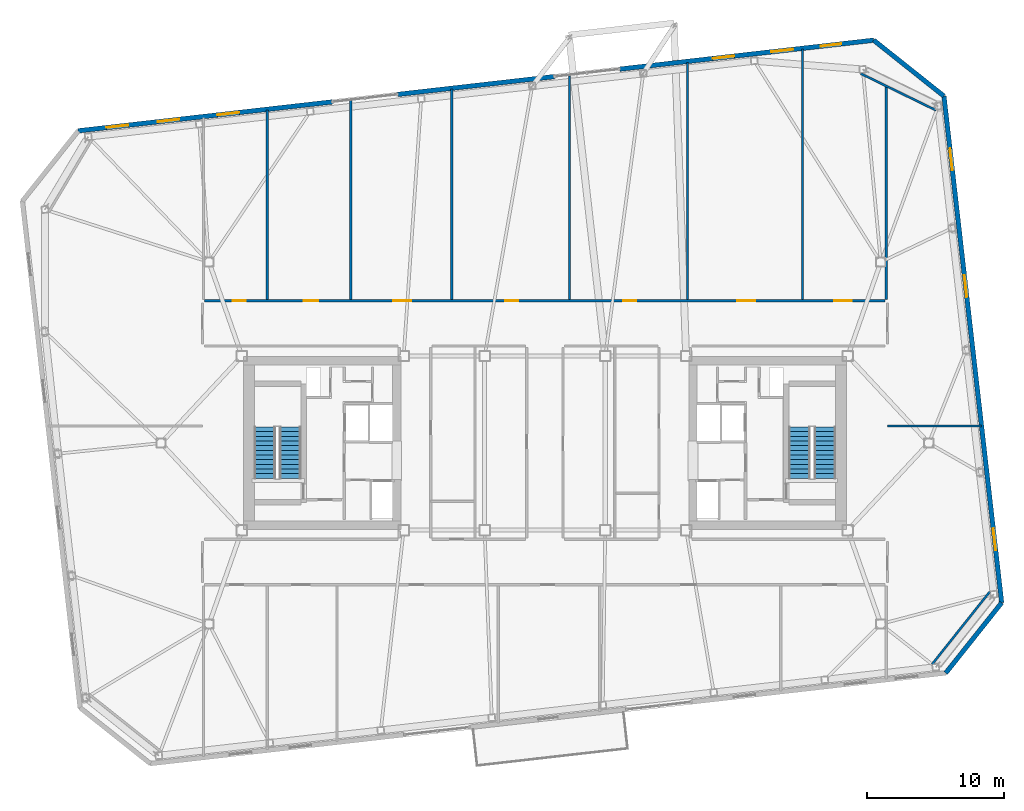
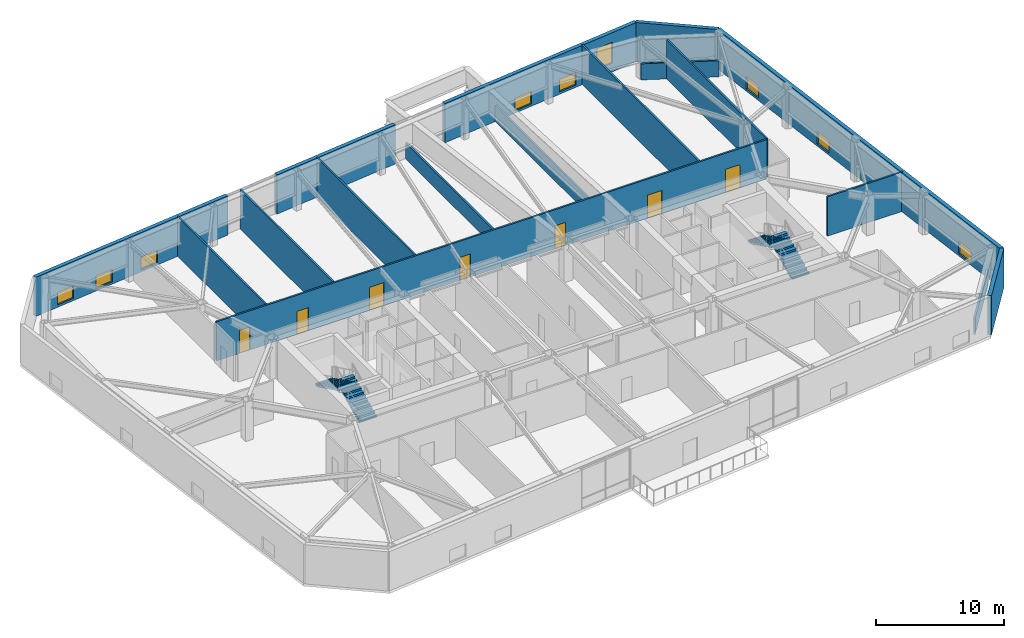
# One storey, part 15 of 20: 17 walls, 9 windows, 7 doors, 4 stair flights, 16 openings, 2 elements without a shape of their own.
"""IFC4 building model written with IfcOpenShell, lengths in metres."""

from ifc_helpers import new_model, si_unit, direction, frame, frame_2d, origin, place, context, subcontext, project, spatial, polyline, rectangle, outline, extrude, material, layer, layer_set, type_object, element, fill, aggregate, save


model = new_model("IFC4")

# Units and contexts
model_context = context("Model", 3, precision=1e-05, world=origin(), true_north=direction((0.0, 1.0)))
body_context = subcontext(model_context, "Body", "Model", "MODEL_VIEW")
ifc_project = project(units=[si_unit("LENGTHUNIT", "METRE"), si_unit("AREAUNIT", "SQUARE_METRE"), si_unit("VOLUMEUNIT", "CUBIC_METRE"), si_unit("PLANEANGLEUNIT", "RADIAN"), si_unit("MASSUNIT", "GRAM", prefix="KILO")], contexts=[model_context])

# Site, building, storey
site_placement = place(None, origin())
site = spatial("IfcSite", under=ifc_project, at=site_placement, CompositionType="ELEMENT")
building_placement = place(site_placement, origin())
building = spatial("IfcBuilding", under=site, at=building_placement, Name="Tavrogorsk Clinical Tower", CompositionType="ELEMENT")
storey_placement = place(building_placement, frame((0.0, 0.0, 234.199951171875)))
storey = spatial("IfcBuildingStorey", under=building, at=storey_placement, Name="L54", CompositionType="ELEMENT", Elevation=234.199951171875)

# Walls
ifc_material_1 = material(Name="Lightweight concrete blockwork B15", Category="masonry")
ifc_layer_1 = layer(ifc_material_1, 0.159912109375)
ifc_layer_set_1 = layer_set([ifc_layer_1], Name="Lightweight concrete blockwork B15")
wall_type_1 = type_object("IfcWallType", Name="PartitionWall_160", PredefinedType="PARTITIONING", material=ifc_layer_set_1)
wall_1_placement = place(storey_placement, frame((28.242431640625, -16.1337890625, 0.0), z_axis=(0.0, 0.0, 1.0), x_axis=(0.622521563328, 0.782602647064, 0.0)))
element("IfcWall", 1, at=wall_1_placement, inside=storey, type_object=wall_type_1, Name="L54 Corner Exoskeleton Brace Furring Wall 1", PredefinedType="PARTITIONING", context=body_context, shape_type="SweptSolid", body=[
    extrude(rectangle(XDim=6.788330078125, YDim=0.159912109375, at=frame_2d((3.39404296875, 0.0))), origin(), (0.0, 0.0, 1.0), 1.53515625),
])
wall_2_placement = place(storey_placement, frame((28.5283203125, 24.27099609375, 0.0), z_axis=(0.0, 0.0, 1.0), x_axis=(-0.898820692789, 0.438316509173, 0.0)))
element("IfcWall", 2, at=wall_2_placement, inside=storey, type_object=wall_type_1, Name="L54 Corner Exoskeleton Brace Furring Wall 2", PredefinedType="PARTITIONING", context=body_context, shape_type="SweptSolid", body=[
    extrude(rectangle(XDim=6.10693359375, YDim=0.159912109375, at=frame_2d((3.053466796875, 0.0))), origin(), (0.0, 0.0, 1.0), 1.53515625),
])

# Wall, openings, doors
wall_3_placement = place(storey_placement, frame((-24.81494140625, 10.3798828125, 0.0), z_axis=(0.0, 0.0, 1.0), x_axis=(1.0, 0.0, 0.0)))
wall_3 = element("IfcWall", 3, at=wall_3_placement, inside=storey, type_object=wall_type_1, Name="L54 Corridor Partition 07", PredefinedType="PARTITIONING", context=body_context, shape_type="SweptSolid", body=[
    extrude(rectangle(XDim=49.6298828125, YDim=0.159912109375, at=frame_2d((24.81494140625, 0.0))), origin(), (0.0, 0.0, 1.0), 3.739990234375),
])
opening_1_placement = place(wall_3_placement, frame((2.044189453125, 0.0, 0.0)))
opening_1 = element("IfcOpeningElement", 4, at=opening_1_placement, cuts=wall_3, Name="Opening ID-02", PredefinedType="OPENING", context=body_context, shape_type="SweptSolid", body=[
    extrude(rectangle(XDim=0.949951171875, YDim=2.199951171875, at=frame_2d((0.47509765625, 1.10009765625))), frame((0.0, 0.08984375, 0.0), z_axis=(0.0, -1.0, 0.0), x_axis=(1.0, 0.0, 0.0)), (0.0, 0.0, 1.0), 0.179931640625),
])
opening_2_placement = place(wall_3_placement, frame((7.219970703125, 0.0, 0.0)))
opening_2 = element("IfcOpeningElement", 5, at=opening_2_placement, cuts=wall_3, Name="Opening ID-04", PredefinedType="OPENING", context=body_context, shape_type="SweptSolid", body=[
    extrude(rectangle(XDim=1.050048828125, YDim=2.199951171875, at=frame_2d((0.52490234375, 1.10009765625))), frame((0.0, 0.08984375, 0.0), z_axis=(0.0, -1.0, 0.0), x_axis=(1.0, 0.0, 0.0)), (0.0, 0.0, 1.0), 0.179931640625),
])
opening_3_placement = place(wall_3_placement, frame((13.77001953125, 0.0, 0.0)))
opening_3 = element("IfcOpeningElement", 6, at=opening_3_placement, cuts=wall_3, Name="Opening ID-01", PredefinedType="OPENING", context=body_context, shape_type="SweptSolid", body=[
    extrude(rectangle(XDim=1.300048828125, YDim=2.199951171875, at=frame_2d((0.64990234375, 1.10009765625))), frame((0.0, 0.08984375, 0.0), z_axis=(0.0, -1.0, 0.0), x_axis=(1.0, 0.0, 0.0)), (0.0, 0.0, 1.0), 0.179931640625),
])
opening_4_placement = place(wall_3_placement, frame((21.925048828125, 0.0, 0.0)))
opening_4 = element("IfcOpeningElement", 7, at=opening_4_placement, cuts=wall_3, Name="Opening ID-02", PredefinedType="OPENING", context=body_context, shape_type="SweptSolid", body=[
    extrude(rectangle(XDim=0.949951171875, YDim=2.199951171875, at=frame_2d((0.47509765625, 1.10009765625))), frame((0.0, 0.08984375, 0.0), z_axis=(0.0, -1.0, 0.0), x_axis=(1.0, 0.0, 0.0)), (0.0, 0.0, 1.0), 0.179931640625),
])
opening_5_placement = place(wall_3_placement, frame((30.52490234375, 0.0, 0.0)))
opening_5 = element("IfcOpeningElement", 8, at=opening_5_placement, cuts=wall_3, Name="Opening ID-02", PredefinedType="OPENING", context=body_context, shape_type="SweptSolid", body=[
    extrude(rectangle(XDim=0.949951171875, YDim=2.199951171875, at=frame_2d((0.47509765625, 1.10009765625))), frame((0.0, 0.08984375, 0.0), z_axis=(0.0, -1.0, 0.0), x_axis=(1.0, 0.0, 0.0)), (0.0, 0.0, 1.0), 0.179931640625),
])
opening_6_placement = place(wall_3_placement, frame((38.85009765625, 0.0, 0.0)))
opening_6 = element("IfcOpeningElement", 9, at=opening_6_placement, cuts=wall_3, Name="Opening ID-01", PredefinedType="OPENING", context=body_context, shape_type="SweptSolid", body=[
    extrude(rectangle(XDim=1.300048828125, YDim=2.199951171875, at=frame_2d((0.64990234375, 1.10009765625))), frame((0.0, 0.08984375, 0.0), z_axis=(0.0, -1.0, 0.0), x_axis=(1.0, 0.0, 0.0)), (0.0, 0.0, 1.0), 0.179931640625),
])
opening_7_placement = place(wall_3_placement, frame((45.906005859375, 0.0, 0.0)))
opening_7 = element("IfcOpeningElement", 10, at=opening_7_placement, cuts=wall_3, Name="Opening ID-01", PredefinedType="OPENING", context=body_context, shape_type="SweptSolid", body=[
    extrude(rectangle(XDim=1.300048828125, YDim=2.199951171875, at=frame_2d((0.64990234375, 1.10009765625))), frame((0.0, 0.08984375, 0.0), z_axis=(0.0, -1.0, 0.0), x_axis=(1.0, 0.0, 0.0)), (0.0, 0.0, 1.0), 0.179931640625),
])
ifc_material_2 = material(Name="Antibacterial HPL consultation door on aluminium frame", Category="aluminium")
door_type_1 = type_object("IfcDoorType", Name="ConsultDoor_ID04_1050", OperationType="NOTDEFINED", PredefinedType="DOOR", material=ifc_material_2)
door_1_placement = place(opening_2_placement, origin())
door_1 = element("IfcDoor", 11, at=door_1_placement, inside=storey, type_object=door_type_1, Name="L54 North Physiotherapy Rehab Studio 02 Door", OperationType="SINGLE_SWING_RIGHT", OverallHeight=2.199951171875, OverallWidth=1.050048828125, PredefinedType="DOOR", context=body_context, shape_type="SweptSolid", body=[
    extrude(rectangle(XDim=1.050048828125, YDim=2.199951171875, at=frame_2d((0.52490234375, 1.10009765625))), frame((0.0, 0.02490234375, 0.0), z_axis=(0.0, -1.0, 0.0), x_axis=(1.0, 0.0, 0.0)), (0.0, 0.0, 1.0), 0.050048828125),
])
fill(opening_2, door_1)
ifc_material_3 = material(Name="Laminated timber leaf on aluminium frame", Category="wood")
door_type_2 = type_object("IfcDoorType", Name="InteriorDoor_ID02_950", OperationType="NOTDEFINED", PredefinedType="DOOR", material=ifc_material_3)
door_2_placement = place(opening_1_placement, origin())
door_2 = element("IfcDoor", 12, at=door_2_placement, inside=storey, type_object=door_type_2, Name="L54 North Diagnostic Ultrasound Suite 01 Door", OperationType="SINGLE_SWING_LEFT", OverallHeight=2.199951171875, OverallWidth=0.949951171875, PredefinedType="DOOR", context=body_context, shape_type="SweptSolid", body=[
    extrude(rectangle(XDim=0.949951171875, YDim=2.199951171875, at=frame_2d((0.47509765625, 1.10009765625))), frame((0.0, 0.02490234375, 0.0), z_axis=(0.0, -1.0, 0.0), x_axis=(1.0, 0.0, 0.0)), (0.0, 0.0, 1.0), 0.050048828125),
])
fill(opening_1, door_2)
door_3_placement = place(opening_4_placement, origin())
door_3 = element("IfcDoor", 13, at=door_3_placement, inside=storey, type_object=door_type_2, Name="L54 North Physician Consultation Office 04 Door", OperationType="SINGLE_SWING_RIGHT", OverallHeight=2.199951171875, OverallWidth=0.949951171875, PredefinedType="DOOR", context=body_context, shape_type="SweptSolid", body=[
    extrude(rectangle(XDim=0.949951171875, YDim=2.199951171875, at=frame_2d((0.47509765625, 1.10009765625))), frame((0.0, 0.02490234375, 0.0), z_axis=(0.0, -1.0, 0.0), x_axis=(1.0, 0.0, 0.0)), (0.0, 0.0, 1.0), 0.050048828125),
])
fill(opening_4, door_3)
door_4_placement = place(opening_5_placement, origin())
door_4 = element("IfcDoor", 14, at=door_4_placement, inside=storey, type_object=door_type_2, Name="L54 North Patient & Family Quiet Lounge 05 Door", OperationType="SINGLE_SWING_LEFT", OverallHeight=2.199951171875, OverallWidth=0.949951171875, PredefinedType="DOOR", context=body_context, shape_type="SweptSolid", body=[
    extrude(rectangle(XDim=0.949951171875, YDim=2.199951171875, at=frame_2d((0.47509765625, 1.10009765625))), frame((0.0, 0.02490234375, 0.0), z_axis=(0.0, -1.0, 0.0), x_axis=(1.0, 0.0, 0.0)), (0.0, 0.0, 1.0), 0.050048828125),
])
fill(opening_5, door_4)
ifc_material_4 = material(Name="Antibacterial HPL medical leaf on aluminium frame", Category="aluminium")
door_type_3 = type_object("IfcDoorType", Name="WardBedDoor_ID01_1300", OperationType="NOTDEFINED", PredefinedType="DOOR", material=ifc_material_4)
door_5_placement = place(opening_3_placement, origin())
door_5 = element("IfcDoor", 15, at=door_5_placement, inside=storey, type_object=door_type_3, Name="L54 North Step-Down Telemetry Ward 03 Door", OperationType="SINGLE_SWING_LEFT", OverallHeight=2.199951171875, OverallWidth=1.300048828125, PredefinedType="DOOR", context=body_context, shape_type="SweptSolid", body=[
    extrude(rectangle(XDim=1.300048828125, YDim=2.199951171875, at=frame_2d((0.64990234375, 1.10009765625))), frame((0.0, 0.02490234375, 0.0), z_axis=(0.0, -1.0, 0.0), x_axis=(1.0, 0.0, 0.0)), (0.0, 0.0, 1.0), 0.050048828125),
])
fill(opening_3, door_5)
door_6_placement = place(opening_6_placement, origin())
door_6 = element("IfcDoor", 16, at=door_6_placement, inside=storey, type_object=door_type_3, Name="L54 North Acute Isolation Suite 06 Door", OperationType="SINGLE_SWING_RIGHT", OverallHeight=2.199951171875, OverallWidth=1.300048828125, PredefinedType="DOOR", context=body_context, shape_type="SweptSolid", body=[
    extrude(rectangle(XDim=1.300048828125, YDim=2.199951171875, at=frame_2d((0.64990234375, 1.10009765625))), frame((0.0, 0.02490234375, 0.0), z_axis=(0.0, -1.0, 0.0), x_axis=(1.0, 0.0, 0.0)), (0.0, 0.0, 1.0), 0.050048828125),
])
fill(opening_6, door_6)
door_7_placement = place(opening_7_placement, origin())
door_7 = element("IfcDoor", 17, at=door_7_placement, inside=storey, type_object=door_type_3, Name="L54 North Sub-Acute Recovery Ward 07 Door", OperationType="SINGLE_SWING_LEFT", OverallHeight=2.199951171875, OverallWidth=1.300048828125, PredefinedType="DOOR", context=body_context, shape_type="SweptSolid", body=[
    extrude(rectangle(XDim=1.300048828125, YDim=2.199951171875, at=frame_2d((0.64990234375, 1.10009765625))), frame((0.0, 0.02490234375, 0.0), z_axis=(0.0, -1.0, 0.0), x_axis=(1.0, 0.0, 0.0)), (0.0, 0.0, 1.0), 0.050048828125),
])
fill(opening_7, door_7)

# Walls
wall_4_placement = place(storey_placement, frame((24.89990234375, 10.465087890625, 0.0), z_axis=(0.0, 0.0, 1.0), x_axis=(0.0, 1.0, 0.0)))
element("IfcWall", 18, at=wall_4_placement, inside=storey, type_object=wall_type_1, Name="L54 NE Wing Closure Partition", PredefinedType="PARTITIONING", context=body_context, shape_type="SweptSolid", body=[
    extrude(rectangle(XDim=15.579345703125, YDim=0.159912109375, at=frame_2d((7.78955078125, 0.0))), origin(), (0.0, 0.0, 1.0), 3.739990234375),
])
wall_5_placement = place(storey_placement, frame((-20.25, 10.465087890625, 0.0), z_axis=(0.0, 0.0, 1.0), x_axis=(0.0, 1.0, 0.0)))
element("IfcWall", 19, at=wall_5_placement, inside=storey, type_object=wall_type_1, Name="L54 North Room Partition 1", PredefinedType="PARTITIONING", context=body_context, shape_type="SweptSolid", body=[
    extrude(rectangle(XDim=13.81103515625, YDim=0.159912109375, at=frame_2d((6.905517578125, 0.0))), origin(), (0.0, 0.0, 1.0), 3.739990234375),
])
wall_6_placement = place(storey_placement, frame((-14.159912109375, 10.465087890625, 0.0), z_axis=(0.0, 0.0, 1.0), x_axis=(0.0, 1.0, 0.0)))
element("IfcWall", 20, at=wall_6_placement, inside=storey, type_object=wall_type_1, Name="L54 North Room Partition 2", PredefinedType="PARTITIONING", context=body_context, shape_type="SweptSolid", body=[
    extrude(rectangle(XDim=14.5048828125, YDim=0.159912109375, at=frame_2d((7.25244140625, 0.0))), origin(), (0.0, 0.0, 1.0), 3.739990234375),
])
wall_7_placement = place(storey_placement, frame((-6.800048828125, 10.465087890625, 0.0), z_axis=(0.0, 0.0, 1.0), x_axis=(0.0, 1.0, 0.0)))
element("IfcWall", 21, at=wall_7_placement, inside=storey, type_object=wall_type_1, Name="L54 North Room Partition 3", PredefinedType="PARTITIONING", context=body_context, shape_type="SweptSolid", body=[
    extrude(rectangle(XDim=15.343505859375, YDim=0.159912109375, at=frame_2d((7.671875, 0.0))), origin(), (0.0, 0.0, 1.0), 3.739990234375),
])
wall_8_placement = place(storey_placement, frame((1.800048828125, 10.465087890625, 0.0), z_axis=(0.0, 0.0, 1.0), x_axis=(0.0, 1.0, 0.0)))
element("IfcWall", 22, at=wall_8_placement, inside=storey, type_object=wall_type_1, Name="L54 North Room Partition 4", PredefinedType="PARTITIONING", context=body_context, shape_type="SweptSolid", body=[
    extrude(rectangle(XDim=16.3232421875, YDim=0.159912109375, at=frame_2d((8.16162109375, 0.0))), origin(), (0.0, 0.0, 1.0), 1.53515625),
])
wall_9_placement = place(storey_placement, frame((10.39990234375, 10.465087890625, 0.0), z_axis=(0.0, 0.0, 1.0), x_axis=(0.0, 1.0, 0.0)))
element("IfcWall", 23, at=wall_9_placement, inside=storey, type_object=wall_type_1, Name="L54 North Room Partition 5", PredefinedType="PARTITIONING", context=body_context, shape_type="SweptSolid", body=[
    extrude(rectangle(XDim=17.30322265625, YDim=0.159912109375, at=frame_2d((8.651611328125, 0.0))), origin(), (0.0, 0.0, 1.0), 1.53515625),
])
wall_10_placement = place(storey_placement, frame((18.800048828125, 10.465087890625, 0.0), z_axis=(0.0, 0.0, 1.0), x_axis=(0.0, 1.0, 0.0)))
element("IfcWall", 24, at=wall_10_placement, inside=storey, type_object=wall_type_1, Name="L54 North Room Partition 6", PredefinedType="PARTITIONING", context=body_context, shape_type="SweptSolid", body=[
    extrude(rectangle(XDim=18.26025390625, YDim=0.159912109375, at=frame_2d((9.130126953125, 0.0))), origin(), (0.0, 0.0, 1.0), 3.739990234375),
])
wall_11_placement = place(storey_placement, frame((24.97998046875, 1.25, 0.0), z_axis=(0.0, 0.0, 1.0), x_axis=(1.0, 0.0, 0.0)))
element("IfcWall", 25, at=wall_11_placement, inside=storey, type_object=wall_type_1, Name="L54 E Wing Divider 1", PredefinedType="PARTITIONING", context=body_context, shape_type="SweptSolid", body=[
    extrude(rectangle(XDim=6.84814453125, YDim=0.159912109375, at=frame_2d((3.424072265625, 0.0))), origin(), (0.0, 0.0, 1.0), 3.739990234375),
])

# Wall, openings, windows
ifc_material_5 = material(Name="Precast concrete B45 with limestone cladding", Category="masonry")
ifc_layer_2 = layer(ifc_material_5, 0.340087890625)
ifc_layer_set_2 = layer_set([ifc_layer_2], Name="Precast concrete B45 with limestone cladding")
wall_type_2 = type_object("IfcWallType", Name="PrecastLimestoneWall_340", PredefinedType="STANDARD", material=ifc_layer_set_2)
wall_12_placement = place(storey_placement, frame((23.982666015625, 29.38623046875, 0.0), z_axis=(0.0, 0.0, 1.0), x_axis=(-0.993572271362, -0.113199565282, 0.0)))
wall_12 = element("IfcWall", 26, at=wall_12_placement, inside=storey, type_object=wall_type_2, Name="L54 N Limestone Facade Wall 1", PredefinedType="STANDARD", context=body_context, shape_type="SweptSolid", body=[
    extrude(rectangle(XDim=18.6513671875, YDim=0.340087890625, at=frame_2d((9.32568359375, 0.0))), origin(), (0.0, 0.0, 1.0), 3.739990234375),
])
opening_8_placement = place(wall_12_placement, frame((10.228759765625, 0.0, 0.219970703125)))
opening_8 = element("IfcOpeningElement", 27, at=opening_8_placement, cuts=wall_12, Name="Opening WN-09", PredefinedType="OPENING", context=body_context, shape_type="SweptSolid", body=[
    extrude(rectangle(XDim=1.60009765625, YDim=1.199951171875, at=frame_2d((0.800048828125, 0.60009765625))), frame((0.0, 0.179931640625, 0.0), z_axis=(0.0, -1.0, 0.0), x_axis=(1.0, 0.0, 0.0)), (0.0, 0.0, 1.0), 0.360107421875),
])
opening_9_placement = place(wall_12_placement, frame((5.923095703125, 0.0, 0.219970703125)))
opening_9 = element("IfcOpeningElement", 28, at=opening_9_placement, cuts=wall_12, Name="Opening WN-09", PredefinedType="OPENING", context=body_context, shape_type="SweptSolid", body=[
    extrude(rectangle(XDim=1.60009765625, YDim=1.199951171875, at=frame_2d((0.800048828125, 0.60009765625))), frame((0.0, 0.179931640625, 0.0), z_axis=(0.0, -1.0, 0.0), x_axis=(1.0, 0.0, 0.0)), (0.0, 0.0, 1.0), 0.360107421875),
])
opening_10_placement = place(wall_12_placement, frame((2.385986328125, 0.0, 0.830078125)))
opening_10 = element("IfcOpeningElement", 29, at=opening_10_placement, cuts=wall_12, Name="Opening WN-05", PredefinedType="OPENING", context=body_context, shape_type="SweptSolid", body=[
    extrude(rectangle(XDim=1.5, YDim=2.0, at=frame_2d((0.75, 1.0))), frame((0.0, 0.179931640625, 0.0), z_axis=(0.0, -1.0, 0.0), x_axis=(1.0, 0.0, 0.0)), (0.0, 0.0, 1.0), 0.360107421875),
])
ifc_material_6 = material(Name="Thermally broken aluminium frame and triple IGU", Category="aluminium")
window_type_1 = type_object("IfcWindowType", Name="ConsultWin_1500x2000", PartitioningType="SINGLE_PANEL", PredefinedType="WINDOW", material=ifc_material_6)
window_1_placement = place(opening_10_placement, origin())
window_1 = element("IfcWindow", 30, at=window_1_placement, inside=storey, type_object=window_type_1, Name="L54 N Chicago Window 10", OverallHeight=2.0, OverallWidth=1.5, PartitioningType="SINGLE_PANEL", PredefinedType="WINDOW", context=body_context, shape_type="SweptSolid", body=[
    extrude(rectangle(XDim=1.5, YDim=2.0, at=frame_2d((0.75, 1.0))), frame((0.0, 0.030029296875, 0.0), z_axis=(0.0, -1.0, 0.0), x_axis=(1.0, 0.0, 0.0)), (0.0, 0.0, 1.0), 0.06005859375),
])
fill(opening_10, window_1)
ifc_material_7 = material(Name="Thermally broken aluminium frame and triple IGU", Category="aluminium")
window_type_2 = type_object("IfcWindowType", Name="LowHeadTransWin_1600x1200", PartitioningType="DOUBLE_PANEL_VERTICAL", PredefinedType="WINDOW", material=ifc_material_7)
window_2_placement = place(opening_8_placement, origin())
window_2 = element("IfcWindow", 31, at=window_2_placement, inside=storey, type_object=window_type_2, Name="L54 N Chicago Window 08", OverallHeight=1.199951171875, OverallWidth=1.60009765625, PartitioningType="SINGLE_PANEL", PredefinedType="WINDOW", context=body_context, shape_type="SweptSolid", body=[
    extrude(rectangle(XDim=1.60009765625, YDim=1.199951171875, at=frame_2d((0.800048828125, 0.60009765625))), frame((0.0, 0.030029296875, 0.0), z_axis=(0.0, -1.0, 0.0), x_axis=(1.0, 0.0, 0.0)), (0.0, 0.0, 1.0), 0.06005859375),
])
fill(opening_8, window_2)
window_3_placement = place(opening_9_placement, origin())
window_3 = element("IfcWindow", 32, at=window_3_placement, inside=storey, type_object=window_type_2, Name="L54 N Chicago Window 09", OverallHeight=1.199951171875, OverallWidth=1.60009765625, PartitioningType="SINGLE_PANEL", PredefinedType="WINDOW", context=body_context, shape_type="SweptSolid", body=[
    extrude(rectangle(XDim=1.60009765625, YDim=1.199951171875, at=frame_2d((0.800048828125, 0.60009765625))), frame((0.0, 0.030029296875, 0.0), z_axis=(0.0, -1.0, 0.0), x_axis=(1.0, 0.0, 0.0)), (0.0, 0.0, 1.0), 0.06005859375),
])
fill(opening_9, window_3)

# Wall
wall_13_placement = place(storey_placement, frame((0.681884765625, 26.7314453125, 0.0), z_axis=(0.0, 0.0, 1.0), x_axis=(-0.993571968199, -0.113202226169, 0.0)))
element("IfcWall", 33, at=wall_13_placement, inside=storey, type_object=wall_type_2, Name="L54 N Limestone Facade Wall 2", PredefinedType="STANDARD", context=body_context, shape_type="SweptSolid", body=[
    extrude(rectangle(XDim=11.497314453125, YDim=0.340087890625, at=frame_2d((5.74853515625, 0.0))), origin(), (0.0, 0.0, 1.0), 3.739990234375),
])

# Wall, openings, windows
wall_14_placement = place(storey_placement, frame((-15.510498046875, 24.886474609375, 0.0), z_axis=(0.0, 0.0, 1.0), x_axis=(-0.993572271362, -0.113199565282, 0.0)))
wall_14 = element("IfcWall", 34, at=wall_14_placement, inside=storey, type_object=wall_type_2, Name="L54 N Limestone Facade Wall 3", PredefinedType="STANDARD", context=body_context, shape_type="SweptSolid", body=[
    extrude(rectangle(XDim=18.6513671875, YDim=0.340087890625, at=frame_2d((9.32568359375, 0.0))), origin(), (0.0, 0.0, 1.0), 3.739990234375),
])
opening_11_placement = place(wall_14_placement, frame((14.97119140625, 0.0, 0.219970703125)))
opening_11 = element("IfcOpeningElement", 35, at=opening_11_placement, cuts=wall_14, Name="Opening WN-09", PredefinedType="OPENING", context=body_context, shape_type="SweptSolid", body=[
    extrude(rectangle(XDim=1.60009765625, YDim=1.199951171875, at=frame_2d((0.800048828125, 0.60009765625))), frame((0.0, 0.179931640625, 0.0), z_axis=(0.0, -1.0, 0.0), x_axis=(1.0, 0.0, 0.0)), (0.0, 0.0, 1.0), 0.360107421875),
])
opening_12_placement = place(wall_14_placement, frame((11.222900390625, 0.0, 0.219970703125)))
opening_12 = element("IfcOpeningElement", 36, at=opening_12_placement, cuts=wall_14, Name="Opening WN-09", PredefinedType="OPENING", context=body_context, shape_type="SweptSolid", body=[
    extrude(rectangle(XDim=1.60009765625, YDim=1.199951171875, at=frame_2d((0.800048828125, 0.60009765625))), frame((0.0, 0.179931640625, 0.0), z_axis=(0.0, -1.0, 0.0), x_axis=(1.0, 0.0, 0.0)), (0.0, 0.0, 1.0), 0.360107421875),
])
opening_13_placement = place(wall_14_placement, frame((6.82275390625, 0.0, 0.219970703125)))
opening_13 = element("IfcOpeningElement", 37, at=opening_13_placement, cuts=wall_14, Name="Opening WN-09", PredefinedType="OPENING", context=body_context, shape_type="SweptSolid", body=[
    extrude(rectangle(XDim=1.60009765625, YDim=1.199951171875, at=frame_2d((0.800048828125, 0.60009765625))), frame((0.0, 0.179931640625, 0.0), z_axis=(0.0, -1.0, 0.0), x_axis=(1.0, 0.0, 0.0)), (0.0, 0.0, 1.0), 0.360107421875),
])
window_4_placement = place(opening_11_placement, origin())
window_4 = element("IfcWindow", 38, at=window_4_placement, inside=storey, type_object=window_type_2, Name="L54 N Chicago Window 01", OverallHeight=1.199951171875, OverallWidth=1.60009765625, PartitioningType="SINGLE_PANEL", PredefinedType="WINDOW", context=body_context, shape_type="SweptSolid", body=[
    extrude(rectangle(XDim=1.60009765625, YDim=1.199951171875, at=frame_2d((0.800048828125, 0.60009765625))), frame((0.0, 0.030029296875, 0.0), z_axis=(0.0, -1.0, 0.0), x_axis=(1.0, 0.0, 0.0)), (0.0, 0.0, 1.0), 0.06005859375),
])
fill(opening_11, window_4)
window_5_placement = place(opening_12_placement, origin())
window_5 = element("IfcWindow", 39, at=window_5_placement, inside=storey, type_object=window_type_2, Name="L54 N Chicago Window 02", OverallHeight=1.199951171875, OverallWidth=1.60009765625, PartitioningType="SINGLE_PANEL", PredefinedType="WINDOW", context=body_context, shape_type="SweptSolid", body=[
    extrude(rectangle(XDim=1.60009765625, YDim=1.199951171875, at=frame_2d((0.800048828125, 0.60009765625))), frame((0.0, 0.030029296875, 0.0), z_axis=(0.0, -1.0, 0.0), x_axis=(1.0, 0.0, 0.0)), (0.0, 0.0, 1.0), 0.06005859375),
])
fill(opening_12, window_5)
window_6_placement = place(opening_13_placement, origin())
window_6 = element("IfcWindow", 40, at=window_6_placement, inside=storey, type_object=window_type_2, Name="L54 N Chicago Window 03", OverallHeight=1.199951171875, OverallWidth=1.60009765625, PartitioningType="SINGLE_PANEL", PredefinedType="WINDOW", context=body_context, shape_type="SweptSolid", body=[
    extrude(rectangle(XDim=1.60009765625, YDim=1.199951171875, at=frame_2d((0.800048828125, 0.60009765625))), frame((0.0, 0.030029296875, 0.0), z_axis=(0.0, -1.0, 0.0), x_axis=(1.0, 0.0, 0.0)), (0.0, 0.0, 1.0), 0.06005859375),
])
fill(opening_13, window_6)

wall_15_placement = place(storey_placement, frame((33.318115234375, -11.65087890625, 0.0), z_axis=(0.0, 0.0, 1.0), x_axis=(-0.11320360501, 0.9935718111, 0.0)))
wall_15 = element("IfcWall", 41, at=wall_15_placement, inside=storey, type_object=wall_type_2, Name="L54 E Pleated Limestone Wing Wall", PredefinedType="STANDARD", context=body_context, shape_type="SweptSolid", body=[
    extrude(rectangle(XDim=37.199951171875, YDim=0.340087890625, at=frame_2d((18.60009765625, 0.0))), origin(), (0.0, 0.0, 1.0), 3.739990234375),
])
opening_14_placement = place(wall_15_placement, frame((3.85009765625, 0.0, 0.219970703125)))
opening_14 = element("IfcOpeningElement", 42, at=opening_14_placement, cuts=wall_15, Name="Opening WN-09", PredefinedType="OPENING", context=body_context, shape_type="SweptSolid", body=[
    extrude(rectangle(XDim=1.60009765625, YDim=1.199951171875, at=frame_2d((0.800048828125, 0.60009765625))), frame((0.0, 0.179931640625, 0.0), z_axis=(0.0, -1.0, 0.0), x_axis=(1.0, 0.0, 0.0)), (0.0, 0.0, 1.0), 0.360107421875),
])
opening_15_placement = place(wall_15_placement, frame((22.449951171875, 0.0, 0.219970703125)))
opening_15 = element("IfcOpeningElement", 43, at=opening_15_placement, cuts=wall_15, Name="Opening WN-09", PredefinedType="OPENING", context=body_context, shape_type="SweptSolid", body=[
    extrude(rectangle(XDim=1.60009765625, YDim=1.199951171875, at=frame_2d((0.800048828125, 0.60009765625))), frame((0.0, 0.179931640625, 0.0), z_axis=(0.0, -1.0, 0.0), x_axis=(1.0, 0.0, 0.0)), (0.0, 0.0, 1.0), 0.360107421875),
])
opening_16_placement = place(wall_15_placement, frame((31.75, 0.0, 0.219970703125)))
opening_16 = element("IfcOpeningElement", 44, at=opening_16_placement, cuts=wall_15, Name="Opening WN-09", PredefinedType="OPENING", context=body_context, shape_type="SweptSolid", body=[
    extrude(rectangle(XDim=1.60009765625, YDim=1.199951171875, at=frame_2d((0.800048828125, 0.60009765625))), frame((0.0, 0.179931640625, 0.0), z_axis=(0.0, -1.0, 0.0), x_axis=(1.0, 0.0, 0.0)), (0.0, 0.0, 1.0), 0.360107421875),
])
window_7_placement = place(opening_14_placement, origin())
window_7 = element("IfcWindow", 45, at=window_7_placement, inside=storey, type_object=window_type_2, Name="L54 E Pleat Slot Window 1", OverallHeight=1.199951171875, OverallWidth=1.60009765625, PartitioningType="SINGLE_PANEL", PredefinedType="WINDOW", context=body_context, shape_type="SweptSolid", body=[
    extrude(rectangle(XDim=1.60009765625, YDim=1.199951171875, at=frame_2d((0.800048828125, 0.60009765625))), frame((0.0, 0.030029296875, 0.0), z_axis=(0.0, -1.0, 0.0), x_axis=(1.0, 0.0, 0.0)), (0.0, 0.0, 1.0), 0.06005859375),
])
fill(opening_14, window_7)
window_8_placement = place(opening_15_placement, origin())
window_8 = element("IfcWindow", 46, at=window_8_placement, inside=storey, type_object=window_type_2, Name="L54 E Pleat Slot Window 3", OverallHeight=1.199951171875, OverallWidth=1.60009765625, PartitioningType="SINGLE_PANEL", PredefinedType="WINDOW", context=body_context, shape_type="SweptSolid", body=[
    extrude(rectangle(XDim=1.60009765625, YDim=1.199951171875, at=frame_2d((0.800048828125, 0.60009765625))), frame((0.0, 0.030029296875, 0.0), z_axis=(0.0, -1.0, 0.0), x_axis=(1.0, 0.0, 0.0)), (0.0, 0.0, 1.0), 0.06005859375),
])
fill(opening_15, window_8)
window_9_placement = place(opening_16_placement, origin())
window_9 = element("IfcWindow", 47, at=window_9_placement, inside=storey, type_object=window_type_2, Name="L54 E Pleat Slot Window 4", OverallHeight=1.199951171875, OverallWidth=1.60009765625, PartitioningType="SINGLE_PANEL", PredefinedType="WINDOW", context=body_context, shape_type="SweptSolid", body=[
    extrude(rectangle(XDim=1.60009765625, YDim=1.199951171875, at=frame_2d((0.800048828125, 0.60009765625))), frame((0.0, 0.030029296875, 0.0), z_axis=(0.0, -1.0, 0.0), x_axis=(1.0, 0.0, 0.0)), (0.0, 0.0, 1.0), 0.06005859375),
])
fill(opening_16, window_9)

# Walls
for number, where, z_axis, x_axis, name in (
    (48, (29.241943359375, -16.775146484375, 0.0), (0.0, 0.0, 1.0), (0.62252823689, 0.78259733853, 0.0), "L54 Chamfered Corner Wall 1"),
    (49, (29.10693359375, 25.31005859375, 0.0), (0.0, 0.0, 1.0), (-0.78259733853, 0.62252823689, 0.0), "L54 Chamfered Corner Wall 2"),
):
    element("IfcWall", number, at=place(storey_placement, frame(where, z_axis=z_axis, x_axis=x_axis)), inside=storey, type_object=wall_type_2, Name=name, PredefinedType="STANDARD", context=body_context, shape_type="SweptSolid", body=[
        extrude(rectangle(XDim=6.5478515625, YDim=0.340087890625, at=frame_2d((3.27392578125, 0.0))), origin(), (0.0, 0.0, 1.0), 3.739990234375),
    ])

# Stair, stair flights
ifc_material_8 = material(Name="Concrete B60", Category="concrete")
stair_type = type_object("IfcStairType", Name="CoreStairAssembly", PredefinedType="HALF_TURN_STAIR", material=ifc_material_8)
stair_1_placement = place(storey_placement, origin())
stair_1 = element("IfcStair", 50, at=stair_1_placement, inside=storey, type_object=stair_type, Name="L54 ST-W", PredefinedType="HALF_TURN_STAIR")
ifc_material_9 = material(Name="Concrete B60", Category="concrete")
stair_flight_type = type_object("IfcStairFlightType", Name="CoreStairFlight", PredefinedType="STRAIGHT", material=ifc_material_9)
stair_flight_1_placement = place(storey_placement, frame((-18.574951171875, -2.574951171875, 0.0), z_axis=(0.0, 0.0, 1.0), x_axis=(0.0, 1.0, 0.0)))
stair_flight_1 = element("IfcStairFlight", 51, at=stair_flight_1_placement, type_object=stair_flight_type, Name="ST-W flight 1", NumberOfRisers=12, NumberOfTreads=11, PredefinedType="STRAIGHT", RiserHeight=0.166666667, TreadLength=0.34, context=body_context, shape_type="SweptSolid", body=[
    extrude(outline(polyline([(0.0, 0.0), (0.0, 0.166748046875), (0.340087890625, 0.166748046875), (0.340087890625, 0.333251953125), (0.679931640625, 0.333251953125), (0.679931640625, 0.5), (1.02001953125, 0.5), (1.02001953125, 0.666748046875), (1.360107421875, 0.666748046875), (1.360107421875, 0.833251953125), (1.699951171875, 0.833251953125), (1.699951171875, 1.0), (2.0400390625, 1.0), (2.0400390625, 1.166748046875), (2.3798828125, 1.166748046875), (2.3798828125, 1.333251953125), (2.719970703125, 1.333251953125), (2.719970703125, 1.5), (3.06005859375, 1.5), (3.06005859375, 1.666748046875), (3.39990234375, 1.666748046875), (3.39990234375, 1.833251953125), (3.739990234375, 1.833251953125), (3.739990234375, 2.0), (3.739990234375, 1.66650390625), (0.340576171875, 0.0), (0.0, 0.0)])), frame((0.0, 0.77490234375, 0.0), z_axis=(0.0, -1.0, 0.0), x_axis=(1.0, 0.0, 0.0)), (0.0, 0.0, 1.0), 1.550048828125),
])
stair_flight_2_placement = place(storey_placement, frame((-20.425048828125, 1.1650390625, 2.0), z_axis=(0.0, 0.0, 1.0), x_axis=(0.0, -1.0, 0.0)))
stair_flight_2 = element("IfcStairFlight", 52, at=stair_flight_2_placement, type_object=stair_flight_type, Name="ST-W flight 2", NumberOfRisers=12, NumberOfTreads=11, PredefinedType="STRAIGHT", RiserHeight=0.166666667, TreadLength=0.34, context=body_context, shape_type="SweptSolid", body=[
    extrude(outline(polyline([(0.0, 0.0), (0.0, 0.166748046875), (0.340087890625, 0.166748046875), (0.340087890625, 0.333251953125), (0.679931640625, 0.333251953125), (0.679931640625, 0.5), (1.02001953125, 0.5), (1.02001953125, 0.666748046875), (1.360107421875, 0.666748046875), (1.360107421875, 0.833251953125), (1.699951171875, 0.833251953125), (1.699951171875, 1.0), (2.0400390625, 1.0), (2.0400390625, 1.166748046875), (2.3798828125, 1.166748046875), (2.3798828125, 1.333251953125), (2.719970703125, 1.333251953125), (2.719970703125, 1.5), (3.06005859375, 1.5), (3.06005859375, 1.666748046875), (3.39990234375, 1.666748046875), (3.39990234375, 1.833251953125), (3.739990234375, 1.833251953125), (3.739990234375, 2.0), (3.739990234375, 1.66650390625), (0.340576171875, 0.0), (0.0, 0.0)])), frame((0.0, 0.77490234375, 0.0), z_axis=(0.0, -1.0, 0.0), x_axis=(1.0, 0.0, 0.0)), (0.0, 0.0, 1.0), 1.550048828125),
])
aggregate(stair_1, [stair_flight_1, stair_flight_2])

stair_2_placement = place(storey_placement, origin())
stair_2 = element("IfcStair", 53, at=stair_2_placement, inside=storey, type_object=stair_type, Name="L54 ST-E", PredefinedType="HALF_TURN_STAIR")
stair_flight_3_placement = place(storey_placement, frame((20.425048828125, -2.574951171875, 0.0), z_axis=(0.0, 0.0, 1.0), x_axis=(0.0, 1.0, 0.0)))
stair_flight_3 = element("IfcStairFlight", 54, at=stair_flight_3_placement, type_object=stair_flight_type, Name="ST-E flight 1", NumberOfRisers=12, NumberOfTreads=11, PredefinedType="STRAIGHT", RiserHeight=0.166666667, TreadLength=0.34, context=body_context, shape_type="SweptSolid", body=[
    extrude(outline(polyline([(0.0, 0.0), (0.0, 0.166748046875), (0.340087890625, 0.166748046875), (0.340087890625, 0.333251953125), (0.679931640625, 0.333251953125), (0.679931640625, 0.5), (1.02001953125, 0.5), (1.02001953125, 0.666748046875), (1.360107421875, 0.666748046875), (1.360107421875, 0.833251953125), (1.699951171875, 0.833251953125), (1.699951171875, 1.0), (2.0400390625, 1.0), (2.0400390625, 1.166748046875), (2.3798828125, 1.166748046875), (2.3798828125, 1.333251953125), (2.719970703125, 1.333251953125), (2.719970703125, 1.5), (3.06005859375, 1.5), (3.06005859375, 1.666748046875), (3.39990234375, 1.666748046875), (3.39990234375, 1.833251953125), (3.739990234375, 1.833251953125), (3.739990234375, 2.0), (3.739990234375, 1.66650390625), (0.340576171875, 0.0), (0.0, 0.0)])), frame((0.0, 0.77490234375, 0.0), z_axis=(0.0, -1.0, 0.0), x_axis=(1.0, 0.0, 0.0)), (0.0, 0.0, 1.0), 1.550048828125),
])
stair_flight_4_placement = place(storey_placement, frame((18.574951171875, 1.1650390625, 2.0), z_axis=(0.0, 0.0, 1.0), x_axis=(0.0, -1.0, 0.0)))
stair_flight_4 = element("IfcStairFlight", 55, at=stair_flight_4_placement, type_object=stair_flight_type, Name="ST-E flight 2", NumberOfRisers=12, NumberOfTreads=11, PredefinedType="STRAIGHT", RiserHeight=0.166666667, TreadLength=0.34, context=body_context, shape_type="SweptSolid", body=[
    extrude(outline(polyline([(0.0, 0.0), (0.0, 0.166748046875), (0.340087890625, 0.166748046875), (0.340087890625, 0.333251953125), (0.679931640625, 0.333251953125), (0.679931640625, 0.5), (1.02001953125, 0.5), (1.02001953125, 0.666748046875), (1.360107421875, 0.666748046875), (1.360107421875, 0.833251953125), (1.699951171875, 0.833251953125), (1.699951171875, 1.0), (2.0400390625, 1.0), (2.0400390625, 1.166748046875), (2.3798828125, 1.166748046875), (2.3798828125, 1.333251953125), (2.719970703125, 1.333251953125), (2.719970703125, 1.5), (3.06005859375, 1.5), (3.06005859375, 1.666748046875), (3.39990234375, 1.666748046875), (3.39990234375, 1.833251953125), (3.739990234375, 1.833251953125), (3.739990234375, 2.0), (3.739990234375, 1.66650390625), (0.340576171875, 0.0), (0.0, 0.0)])), frame((0.0, 0.77490234375, 0.0), z_axis=(0.0, -1.0, 0.0), x_axis=(1.0, 0.0, 0.0)), (0.0, 0.0, 1.0), 1.550048828125),
])
aggregate(stair_2, [stair_flight_3, stair_flight_4])

save(model, "model.ifc")
